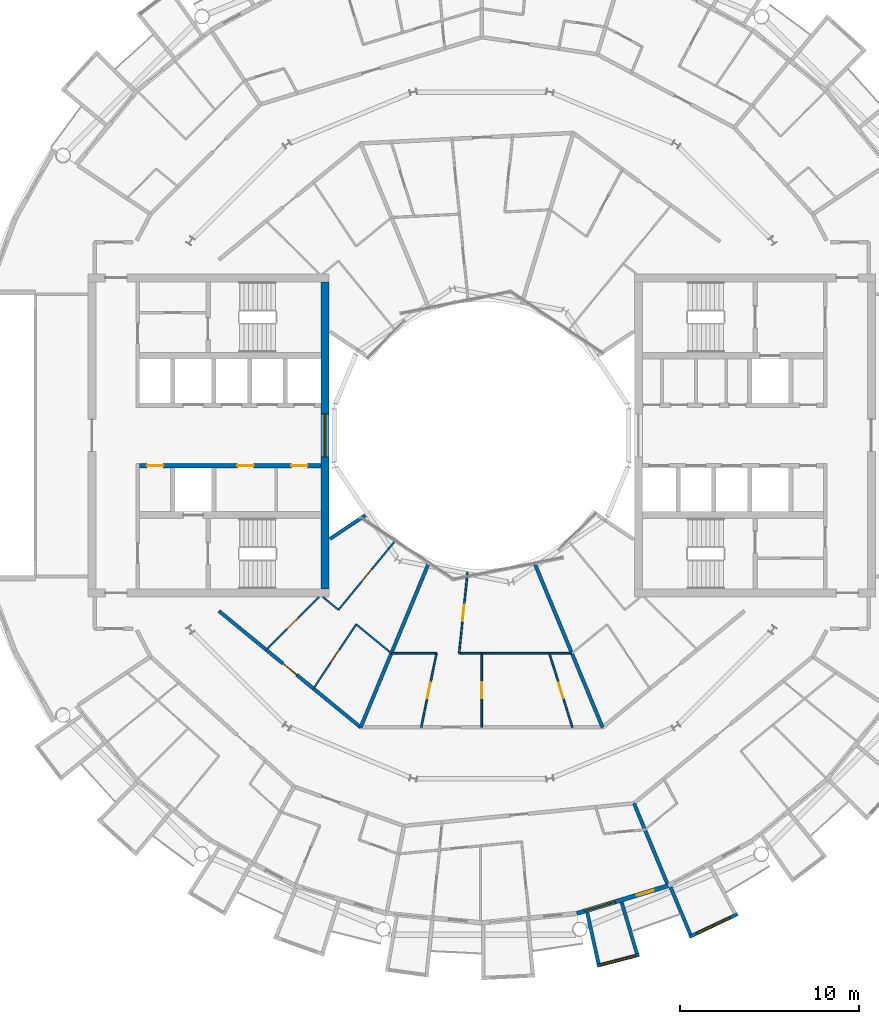
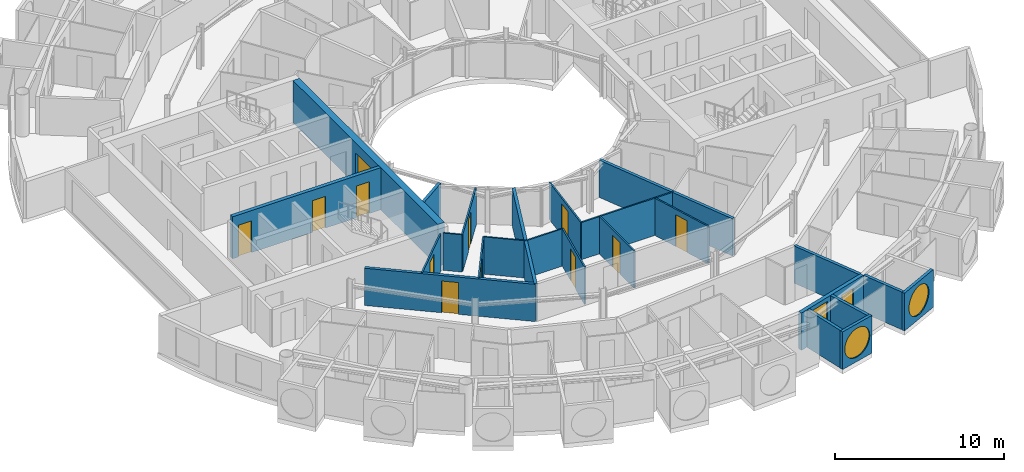
# One storey, part 17 of 29: 24 walls, 12 doors, 4 windows, 16 openings.
"""IFC4 building model written with IfcOpenShell, lengths in metres."""

from ifc_helpers import new_model, si_unit, direction, frame, frame_2d, origin, place, context, subcontext, project, spatial, rectangle, circle, extrude, material, layer, layer_set, type_object, element, fill, save


model = new_model("IFC4")

# Units and contexts
model_context = context("Model", 3, precision=1e-05, world=origin(), true_north=direction((0.0, 1.0)))
body_context = subcontext(model_context, "Body", "Model", "MODEL_VIEW")
ifc_project = project(units=[si_unit("LENGTHUNIT", "METRE"), si_unit("AREAUNIT", "SQUARE_METRE"), si_unit("VOLUMEUNIT", "CUBIC_METRE"), si_unit("PLANEANGLEUNIT", "RADIAN"), si_unit("MASSUNIT", "GRAM", prefix="KILO")], contexts=[model_context])

# Site, building, storey
site_placement = place(None, origin())
site = spatial("IfcSite", under=ifc_project, at=site_placement, CompositionType="ELEMENT")
building_placement = place(site_placement, origin())
building = spatial("IfcBuilding", under=site, at=building_placement, Name="Maasbend Ring Residences", CompositionType="ELEMENT")
storey_placement = place(building_placement, frame((0.0, 0.0, 205.449951171875)))
storey = spatial("IfcBuildingStorey", under=building, at=storey_placement, Name="L59", CompositionType="ELEMENT", Elevation=205.449951171875)

# Wall, openings, doors
ifc_material_1 = material(Name="Concrete C50/60", Category="concrete")
ifc_layer_1 = layer(ifc_material_1, 0.25)
ifc_layer_set_1 = layer_set([ifc_layer_1], Name="Concrete C50/60")
wall_type_1 = type_object("IfcWallType", Name="CORE WALL 250 C50/60", PredefinedType="SHEAR", material=ifc_layer_set_1)
wall_1_placement = place(storey_placement, frame((-9.0, -1.699951171875, 0.0), z_axis=(0.0, 0.0, 1.0), x_axis=(-1.0, 0.0, 0.0)))
wall_1 = element("IfcWall", 1, at=wall_1_placement, inside=storey, type_object=wall_type_1, Name="L59 core W wall SPN", PredefinedType="SHEAR", context=body_context, shape_type="SweptSolid", body=[
    extrude(rectangle(XDim=10.14990234375, YDim=0.25, at=frame_2d((5.074951171875, 0.0))), origin(), (0.0, 0.0, 1.0), 3.050048828125),
])
opening_1_placement = place(wall_1_placement, frame((0.762451171875, 0.0, 0.0)))
opening_1 = element("IfcOpeningElement", 2, at=opening_1_placement, cuts=wall_1, Name="Opening D-W5906", PredefinedType="OPENING", context=body_context, shape_type="SweptSolid", body=[
    extrude(rectangle(XDim=0.89990234375, YDim=2.300048828125, at=frame_2d((0.449951171875, 1.14990234375))), frame((0.0, 0.135009765625, 0.0), z_axis=(0.0, -1.0, 0.0), x_axis=(1.0, 0.0, 0.0)), (0.0, 0.0, 1.0), 0.27001953125),
])
opening_2_placement = place(wall_1_placement, frame((3.77490234375, 0.0, 0.0)))
opening_2 = element("IfcOpeningElement", 3, at=opening_2_placement, cuts=wall_1, Name="Opening D-W5907", PredefinedType="OPENING", context=body_context, shape_type="SweptSolid", body=[
    extrude(rectangle(XDim=0.89990234375, YDim=2.300048828125, at=frame_2d((0.449951171875, 1.14990234375))), frame((0.0, 0.135009765625, 0.0), z_axis=(0.0, -1.0, 0.0), x_axis=(1.0, 0.0, 0.0)), (0.0, 0.0, 1.0), 0.27001953125),
])
opening_3_placement = place(wall_1_placement, frame((8.83740234375, 0.0, 0.0)))
opening_3 = element("IfcOpeningElement", 4, at=opening_3_placement, cuts=wall_1, Name="Opening D-W5908", PredefinedType="OPENING", context=body_context, shape_type="SweptSolid", body=[
    extrude(rectangle(XDim=0.89990234375, YDim=2.300048828125, at=frame_2d((0.449951171875, 1.14990234375))), frame((0.0, 0.135009765625, 0.0), z_axis=(0.0, -1.0, 0.0), x_axis=(1.0, 0.0, 0.0)), (0.0, 0.0, 1.0), 0.27001953125),
])
ifc_material_2 = material(Name="Steel, powder coated", Category="steel")
door_type_1 = type_object("IfcDoorType", Name="ROOM DOOR 900 X 2300 FD30S", OperationType="NOTDEFINED", PredefinedType="DOOR", material=ifc_material_2)
door_1_placement = place(opening_1_placement, origin())
door_1 = element("IfcDoor", 5, at=door_1_placement, inside=storey, type_object=door_type_1, Name="Room door L59", OperationType="SINGLE_SWING_RIGHT", OverallHeight=2.300048828125, OverallWidth=0.89990234375, PredefinedType="DOOR", context=body_context, shape_type="SweptSolid", body=[
    extrude(rectangle(XDim=0.89990234375, YDim=2.300048828125, at=frame_2d((0.449951171875, 1.14990234375))), frame((0.0, 0.02490234375, 0.0), z_axis=(0.0, -1.0, 0.0), x_axis=(1.0, 0.0, 0.0)), (0.0, 0.0, 1.0), 0.050048828125),
])
fill(opening_1, door_1)
door_2_placement = place(opening_2_placement, origin())
door_2 = element("IfcDoor", 6, at=door_2_placement, inside=storey, type_object=door_type_1, Name="Room door L59", OperationType="SINGLE_SWING_RIGHT", OverallHeight=2.300048828125, OverallWidth=0.89990234375, PredefinedType="DOOR", context=body_context, shape_type="SweptSolid", body=[
    extrude(rectangle(XDim=0.89990234375, YDim=2.300048828125, at=frame_2d((0.449951171875, 1.14990234375))), frame((0.0, 0.02490234375, 0.0), z_axis=(0.0, -1.0, 0.0), x_axis=(1.0, 0.0, 0.0)), (0.0, 0.0, 1.0), 0.050048828125),
])
fill(opening_2, door_2)
door_3_placement = place(opening_3_placement, origin())
door_3 = element("IfcDoor", 7, at=door_3_placement, inside=storey, type_object=door_type_1, Name="Room door L59", OperationType="SINGLE_SWING_LEFT", OverallHeight=2.300048828125, OverallWidth=0.89990234375, PredefinedType="DOOR", context=body_context, shape_type="SweptSolid", body=[
    extrude(rectangle(XDim=0.89990234375, YDim=2.300048828125, at=frame_2d((0.449951171875, 1.14990234375))), frame((0.0, 0.02490234375, 0.0), z_axis=(0.0, -1.0, 0.0), x_axis=(1.0, 0.0, 0.0)), (0.0, 0.0, 1.0), 0.050048828125),
])
fill(opening_3, door_3)

# Wall, opening, window
ifc_material_3 = material(Name="Concrete C50/60", Category="concrete")
ifc_layer_2 = layer(ifc_material_3, 0.449951171875)
ifc_layer_set_2 = layer_set([ifc_layer_2], Name="Concrete C50/60")
wall_type_2 = type_object("IfcWallType", Name="CORE WALL 450 C50/60", PredefinedType="SHEAR", material=ifc_layer_set_2)
wall_2_placement = place(storey_placement, frame((-8.77490234375, 8.60009765625, 0.0), z_axis=(0.0, 0.0, 1.0), x_axis=(0.0, -1.0, 0.0)))
wall_2 = element("IfcWall", 8, at=wall_2_placement, inside=storey, type_object=wall_type_2, Name="L59 core W wall PIN", PredefinedType="SHEAR", context=body_context, shape_type="SweptSolid", body=[
    extrude(rectangle(XDim=17.2001953125, YDim=0.449951171875, at=frame_2d((8.60009765625, 0.0))), origin(), (0.0, 0.0, 1.0), 3.050048828125),
])
opening_4_placement = place(wall_2_placement, frame((7.39990234375, 0.0, 0.10009765625)))
opening_4 = element("IfcOpeningElement", 9, at=opening_4_placement, cuts=wall_2, Name="Opening W-W5901", PredefinedType="OPENING", context=body_context, shape_type="SweptSolid", body=[
    extrude(rectangle(XDim=2.39990234375, YDim=2.199951171875, at=frame_2d((1.199951171875, 1.10009765625))), frame((0.0, 0.23486328125, 0.0), z_axis=(0.0, -1.0, 0.0), x_axis=(1.0, 0.0, 0.0)), (0.0, 0.0, 1.0), 0.469970703125),
])
ifc_material_4 = material(Name="Aluminium frame and clear glass", Category="aluminium")
window_type_1 = type_object("IfcWindowType", Name="FIXED WINDOW 2400 X 2200", PartitioningType="SINGLE_PANEL", PredefinedType="WINDOW", material=ifc_material_4)
window_1_placement = place(opening_4_placement, origin())
window_1 = element("IfcWindow", 10, at=window_1_placement, inside=storey, type_object=window_type_1, Name="Lobby window L59", OverallHeight=2.199951171875, OverallWidth=2.39990234375, PartitioningType="SINGLE_PANEL", PredefinedType="WINDOW", context=body_context, shape_type="SweptSolid", body=[
    extrude(rectangle(XDim=2.39990234375, YDim=2.199951171875, at=frame_2d((1.199951171875, 1.10009765625))), frame((0.0, 0.030029296875, 0.0), z_axis=(0.0, -1.0, 0.0), x_axis=(1.0, 0.0, 0.0)), (0.0, 0.0, 1.0), 0.06005859375),
])
fill(opening_4, window_1)

# Wall, opening, door
ifc_material_5 = material(Name="Concrete C30/37", Category="concrete")
ifc_layer_3 = layer(ifc_material_5, 0.199951171875)
ifc_layer_set_3 = layer_set([ifc_layer_3], Name="Concrete C30/37")
wall_type_3 = type_object("IfcWallType", Name="CORRIDOR WALL 200 CONCRETE", PredefinedType="PARTITIONING", material=ifc_layer_set_3)
wall_3_placement = place(storey_placement, frame((-14.717041015625, -9.833984375, 0.0), z_axis=(0.0, 0.0, 1.0), x_axis=(0.773034536097, -0.634363938131, 0.0)))
wall_3 = element("IfcWall", 11, at=wall_3_placement, inside=storey, type_object=wall_type_3, Name="U-L59-w017", PredefinedType="PARTITIONING", context=body_context, shape_type="SweptSolid", body=[
    extrude(rectangle(XDim=10.276611328125, YDim=0.199951171875, at=frame_2d((5.13818359375, 0.0))), origin(), (0.0, 0.0, 1.0), 2.699951171875),
])
opening_5_placement = place(wall_3_placement, frame((4.637939453125, 0.0, 0.0)))
opening_5 = element("IfcOpeningElement", 12, at=opening_5_placement, cuts=wall_3, Name="Opening D-5955", PredefinedType="OPENING", context=body_context, shape_type="SweptSolid", body=[
    extrude(rectangle(XDim=1.0, YDim=2.300048828125, at=frame_2d((0.5, 1.14990234375))), frame((0.0, 0.10986328125, 0.0), z_axis=(0.0, -1.0, 0.0), x_axis=(1.0, 0.0, 0.0)), (0.0, 0.0, 1.0), 0.219970703125),
])
ifc_material_6 = material(Name="Timber, fire-rated, painted", Category="wood")
door_type_2 = type_object("IfcDoorType", Name="FLAT ENTRANCE DOOR 1000 X 2300 FIRE-RATED", OperationType="NOTDEFINED", PredefinedType="DOOR", material=ifc_material_6)
door_4_placement = place(opening_5_placement, origin())
door_4 = element("IfcDoor", 13, at=door_4_placement, inside=storey, type_object=door_type_2, Name="D-5955", OperationType="SINGLE_SWING_LEFT", OverallHeight=2.300048828125, OverallWidth=1.0, PredefinedType="DOOR", context=body_context, shape_type="SweptSolid", body=[
    extrude(rectangle(XDim=1.0, YDim=2.300048828125, at=frame_2d((0.5, 1.14990234375))), frame((0.0, 0.02490234375, 0.0), z_axis=(0.0, -1.0, 0.0), x_axis=(1.0, 0.0, 0.0)), (0.0, 0.0, 1.0), 0.050048828125),
])
fill(opening_5, door_4)

# Wall, opening, window
ifc_material_7 = material(Name="Pale anodised aluminium panel", Category="aluminium")
ifc_layer_4 = layer(ifc_material_7, 0.199951171875)
ifc_layer_set_4 = layer_set([ifc_layer_4], Name="EW-BOX")
wall_type_4 = type_object("IfcWallType", Name="EW-BOX", PredefinedType="SOLIDWALL", material=ifc_layer_set_4)
wall_4_placement = place(storey_placement, frame((6.4609375, -29.705078125, -0.030029296875), z_axis=(0.0, 0.0, 1.0), x_axis=(0.96789536872, 0.251353446784, 0.0)))
wall_4 = element("IfcWall", 14, at=wall_4_placement, inside=storey, type_object=wall_type_4, Name="Box front S13", PredefinedType="SOLIDWALL", context=body_context, shape_type="SweptSolid", body=[
    extrude(rectangle(XDim=2.44677734375, YDim=0.199951171875, at=frame_2d((1.223388671875, 0.0))), origin(), (0.0, 0.0, 1.0), 2.72998046875),
])
opening_6_placement = place(wall_4_placement, frame((0.182861328125, 0.0, 0.330078125)))
opening_6 = element("IfcOpeningElement", 15, at=opening_6_placement, cuts=wall_4, Name="Opening W-RD", PredefinedType="OPENING", context=body_context, shape_type="SweptSolid", body=[
    extrude(circle(Radius=1.0400390625, at=frame_2d((1.0400390625, 1.0400390625))), frame((0.0, 0.10986328125, 0.0), z_axis=(0.0, -1.0, 0.0), x_axis=(1.0, 0.0, 0.0)), (0.0, 0.0, 1.0), 0.219970703125),
])
ifc_material_8 = material(Name="Aluminium and clear glass", Category="aluminium")
window_type_2 = type_object("IfcWindowType", Name="W-RD", PartitioningType="SINGLE_PANEL", PredefinedType="WINDOW", material=ifc_material_8)
window_2_placement = place(opening_6_placement, origin())
window_2 = element("IfcWindow", 16, at=window_2_placement, inside=storey, type_object=window_type_2, Name="Round window S13", OverallHeight=2.080078125, OverallWidth=2.080078125, PartitioningType="SINGLE_PANEL", PredefinedType="WINDOW", context=body_context, shape_type="SweptSolid", body=[
    extrude(circle(Radius=1.0400390625, at=frame_2d((1.0400390625, 1.0400390625))), frame((0.0, 0.030029296875, 0.0), z_axis=(0.0, -1.0, 0.0), x_axis=(1.0, 0.0, 0.0)), (0.0, 0.0, 1.0), 0.06005859375),
])
fill(opening_6, window_2)

# Walls
wall_5_placement = place(storey_placement, frame((5.908935546875, -26.72900390625, -0.030029296875), z_axis=(0.0, 0.0, 1.0), x_axis=(0.216409053917, -0.976302781612, 0.0)))
element("IfcWall", 17, at=wall_5_placement, inside=storey, type_object=wall_type_4, Name="Box side wall S13 left", PredefinedType="SOLIDWALL", context=body_context, shape_type="SweptSolid", body=[
    extrude(rectangle(XDim=2.92529296875, YDim=0.199951171875, at=frame_2d((1.462646484375, 0.0))), origin(), (0.0, 0.0, 1.0), 2.72998046875),
])
wall_6_placement = place(storey_placement, frame((7.8369140625, -26.14404296875, -0.030029296875), z_axis=(0.0, 0.0, 1.0), x_axis=(0.287064767992, -0.957911174889, 0.0)))
element("IfcWall", 18, at=wall_6_placement, inside=storey, type_object=wall_type_4, Name="Box side wall S13 right", PredefinedType="SOLIDWALL", context=body_context, shape_type="SweptSolid", body=[
    extrude(rectangle(XDim=3.00634765625, YDim=0.199951171875, at=frame_2d((1.503173828125, 0.0))), origin(), (0.0, 0.0, 1.0), 2.72998046875),
])

# Wall, opening, window
wall_7_placement = place(storey_placement, frame((11.62890625, -28.087890625, -0.030029296875), z_axis=(0.0, 0.0, 1.0), x_axis=(0.904000060331, 0.427532327342, 0.0)))
wall_7 = element("IfcWall", 19, at=wall_7_placement, inside=storey, type_object=wall_type_4, Name="Box front S15", PredefinedType="SOLIDWALL", context=body_context, shape_type="SweptSolid", body=[
    extrude(rectangle(XDim=2.993408203125, YDim=0.199951171875, at=frame_2d((1.49658203125, 0.0))), origin(), (0.0, 0.0, 1.0), 2.72998046875),
])
opening_7_placement = place(wall_7_placement, frame((0.45654296875, 0.0, 0.330078125)))
opening_7 = element("IfcOpeningElement", 20, at=opening_7_placement, cuts=wall_7, Name="Opening W-RD", PredefinedType="OPENING", context=body_context, shape_type="SweptSolid", body=[
    extrude(circle(Radius=1.0400390625, at=frame_2d((1.0400390625, 1.0400390625))), frame((0.0, 0.10986328125, 0.0), z_axis=(0.0, -1.0, 0.0), x_axis=(1.0, 0.0, 0.0)), (0.0, 0.0, 1.0), 0.219970703125),
])
window_3_placement = place(opening_7_placement, origin())
window_3 = element("IfcWindow", 21, at=window_3_placement, inside=storey, type_object=window_type_2, Name="Round window S15", OverallHeight=2.080078125, OverallWidth=2.080078125, PartitioningType="SINGLE_PANEL", PredefinedType="WINDOW", context=body_context, shape_type="SweptSolid", body=[
    extrude(circle(Radius=1.0400390625, at=frame_2d((1.0400390625, 1.0400390625))), frame((0.0, 0.030029296875, 0.0), z_axis=(0.0, -1.0, 0.0), x_axis=(1.0, 0.0, 0.0)), (0.0, 0.0, 1.0), 0.06005859375),
])
fill(opening_7, window_3)

# Wall
wall_8_placement = place(storey_placement, frame((10.574951171875, -25.294921875, -0.030029296875), z_axis=(0.0, 0.0, 1.0), x_axis=(0.385697364644, -0.922625353492, 0.0)))
element("IfcWall", 22, at=wall_8_placement, inside=storey, type_object=wall_type_4, Name="Box side wall S15 left", PredefinedType="SOLIDWALL", context=body_context, shape_type="SweptSolid", body=[
    extrude(rectangle(XDim=2.88330078125, YDim=0.199951171875, at=frame_2d((1.441650390625, 0.0))), origin(), (0.0, 0.0, 1.0), 2.72998046875),
])

# Wall, openings, door, window
ifc_material_9 = material(Name="Aluminium clad insulated panel", Category="aluminium")
ifc_layer_5 = layer(ifc_material_9, 0.25)
ifc_layer_set_5 = layer_set([ifc_layer_5], Name="EW-GL")
wall_type_5 = type_object("IfcWallType", Name="EW-GL", PredefinedType="SOLIDWALL", material=ifc_layer_set_5)
wall_9_placement = place(storey_placement, frame((5.325927734375, -26.77490234375, 0.0), z_axis=(0.0, 0.0, 1.0), x_axis=(0.956965678721, 0.290201119486, 0.0)))
wall_9 = element("IfcWall", 23, at=wall_9_placement, inside=storey, type_object=wall_type_5, Name="External wall S07", PredefinedType="SOLIDWALL", context=body_context, shape_type="SweptSolid", body=[
    extrude(rectangle(XDim=5.351318359375, YDim=0.25, at=frame_2d((2.67578125, 0.0))), origin(), (0.0, 0.0, 1.0), 2.699951171875),
])
opening_8_placement = place(wall_9_placement, frame((0.441162109375, 0.0, 0.300048828125)))
opening_8 = element("IfcOpeningElement", 24, at=opening_8_placement, cuts=wall_9, Name="Opening W-BX", PredefinedType="OPENING", context=body_context, shape_type="SweptSolid", body=[
    extrude(rectangle(XDim=1.800048828125, YDim=2.10009765625, at=frame_2d((0.89990234375, 1.050048828125))), frame((0.0, 0.135009765625, 0.0), z_axis=(0.0, -1.0, 0.0), x_axis=(1.0, 0.0, 0.0)), (0.0, 0.0, 1.0), 0.27001953125),
])
opening_9_placement = place(wall_9_placement, frame((3.510498046875, 0.0, 0.0)))
opening_9 = element("IfcOpeningElement", 25, at=opening_9_placement, cuts=wall_9, Name="Opening D-LG", PredefinedType="OPENING", context=body_context, shape_type="SweptSolid", body=[
    extrude(rectangle(XDim=1.0, YDim=2.199951171875, at=frame_2d((0.5, 1.10009765625))), frame((0.0, 0.135009765625, 0.0), z_axis=(0.0, -1.0, 0.0), x_axis=(1.0, 0.0, 0.0)), (0.0, 0.0, 1.0), 0.27001953125),
])
ifc_material_10 = material(Name="Aluminium and clear glass", Category="aluminium")
door_type_3 = type_object("IfcDoorType", Name="D-LG", OperationType="SINGLE_SWING_LEFT", PredefinedType="DOOR", material=ifc_material_10)
door_5_placement = place(opening_9_placement, origin())
door_5 = element("IfcDoor", 26, at=door_5_placement, inside=storey, type_object=door_type_3, Name="Loggia door S14", OperationType="SINGLE_SWING_LEFT", OverallHeight=2.199951171875, OverallWidth=1.0, PredefinedType="DOOR", context=body_context, shape_type="SweptSolid", body=[
    extrude(rectangle(XDim=1.0, YDim=2.199951171875, at=frame_2d((0.5, 1.10009765625))), frame((0.0, 0.02490234375, 0.0), z_axis=(0.0, -1.0, 0.0), x_axis=(1.0, 0.0, 0.0)), (0.0, 0.0, 1.0), 0.050048828125),
])
fill(opening_9, door_5)
ifc_material_11 = material(Name="Aluminium and clear glass", Category="aluminium")
window_type_3 = type_object("IfcWindowType", Name="W-BX", PartitioningType="DOUBLE_PANEL_VERTICAL", PredefinedType="WINDOW", material=ifc_material_11)
window_4_placement = place(opening_8_placement, origin())
window_4 = element("IfcWindow", 27, at=window_4_placement, inside=storey, type_object=window_type_3, Name="Window S13 room to box", OverallHeight=2.10009765625, OverallWidth=1.800048828125, PartitioningType="SINGLE_PANEL", PredefinedType="WINDOW", context=body_context, shape_type="SweptSolid", body=[
    extrude(rectangle(XDim=1.800048828125, YDim=2.10009765625, at=frame_2d((0.89990234375, 1.050048828125))), frame((0.0, 0.030029296875, 0.0), z_axis=(0.0, -1.0, 0.0), x_axis=(1.0, 0.0, 0.0)), (0.0, 0.0, 1.0), 0.06005859375),
])
fill(opening_8, window_4)

# Walls
ifc_material_12 = material(Name="Gypsum board on steel studs", Category="steel")
ifc_layer_6 = layer(ifc_material_12, 0.10009765625)
ifc_layer_set_6 = layer_set([ifc_layer_6], Name="PARTITION 100 GYPSUM")
wall_type_6 = type_object("IfcWallType", Name="PARTITION 100 GYPSUM", PredefinedType="PARTITIONING", material=ifc_layer_set_6)
wall_10_placement = place(storey_placement, frame((-8.90087890625, -9.047119140625, 0.0), z_axis=(0.0, 0.0, 1.0), x_axis=(0.772786083133, -0.634666581534, 0.0)))
element("IfcWall", 28, at=wall_10_placement, inside=storey, type_object=wall_type_6, Name="U-L59-w020", PredefinedType="PARTITIONING", context=body_context, shape_type="SweptSolid", body=[
    extrude(rectangle(XDim=1.1435546875, YDim=0.10009765625, at=frame_2d((0.57177734375, 0.0))), origin(), (0.0, 0.0, 1.0), 2.699951171875),
])
wall_11_placement = place(storey_placement, frame((-7.031005859375, -10.58203125, 0.0), z_axis=(0.0, 0.0, 1.0), x_axis=(0.772943675046, -0.634474645046, 0.0)))
element("IfcWall", 29, at=wall_11_placement, inside=storey, type_object=wall_type_6, Name="U-L59-w021", PredefinedType="PARTITIONING", context=body_context, shape_type="SweptSolid", body=[
    extrude(rectangle(XDim=2.556640625, YDim=0.10009765625, at=frame_2d((1.2783203125, 0.0))), origin(), (0.0, 0.0, 1.0), 2.699951171875),
])
wall_12_placement = place(storey_placement, frame((-5.054931640625, -12.2041015625, 0.0), z_axis=(0.0, 0.0, 1.0), x_axis=(1.0, 0.0, 0.0)))
element("IfcWall", 30, at=wall_12_placement, inside=storey, type_object=wall_type_6, Name="U-L59-w024", PredefinedType="PARTITIONING", context=body_context, shape_type="SweptSolid", body=[
    extrude(rectangle(XDim=2.52783203125, YDim=0.10009765625, at=frame_2d((1.263916015625, 0.0))), origin(), (0.0, 0.0, 1.0), 2.699951171875),
])
wall_13_placement = place(storey_placement, frame((-1.263916015625, -12.2041015625, 0.0), z_axis=(0.0, 0.0, 1.0), x_axis=(1.0, 0.0, 0.0)))
element("IfcWall", 31, at=wall_13_placement, inside=storey, type_object=wall_type_6, Name="U-L59-w025", PredefinedType="PARTITIONING", context=body_context, shape_type="SweptSolid", body=[
    extrude(rectangle(XDim=6.31884765625, YDim=0.10009765625, at=frame_2d((3.159423828125, 0.0))), origin(), (0.0, 0.0, 1.0), 2.699951171875),
])

# Wall, opening, door
wall_14_placement = place(storey_placement, frame((-12.069091796875, -12.007080078125, 0.0), z_axis=(0.0, 0.0, 1.0), x_axis=(0.708909651863, 0.705299302067, 0.0)))
wall_14 = element("IfcWall", 32, at=wall_14_placement, inside=storey, type_object=wall_type_6, Name="U-L59-w045", PredefinedType="PARTITIONING", context=body_context, shape_type="SweptSolid", body=[
    extrude(rectangle(XDim=4.192626953125, YDim=0.10009765625, at=frame_2d((2.09619140625, 0.0))), origin(), (0.0, 0.0, 1.0), 2.699951171875),
])
opening_10_placement = place(wall_14_placement, frame((1.64599609375, 0.0, 0.0)))
opening_10 = element("IfcOpeningElement", 33, at=opening_10_placement, cuts=wall_14, Name="Opening D-5957", PredefinedType="OPENING", context=body_context, shape_type="SweptSolid", body=[
    extrude(rectangle(XDim=0.89990234375, YDim=2.300048828125, at=frame_2d((0.449951171875, 1.14990234375))), frame((0.0, 0.06005859375, 0.0), z_axis=(0.0, -1.0, 0.0), x_axis=(1.0, 0.0, 0.0)), (0.0, 0.0, 1.0), 0.1201171875),
])
ifc_material_13 = material(Name="Timber, painted", Category="wood")
door_type_4 = type_object("IfcDoorType", Name="INTERNAL DOOR 900 X 2300", OperationType="NOTDEFINED", PredefinedType="DOOR", material=ifc_material_13)
door_6_placement = place(opening_10_placement, origin())
door_6 = element("IfcDoor", 34, at=door_6_placement, inside=storey, type_object=door_type_4, Name="D-5957", OperationType="SINGLE_SWING_LEFT", OverallHeight=2.300048828125, OverallWidth=0.89990234375, PredefinedType="DOOR", context=body_context, shape_type="SweptSolid", body=[
    extrude(rectangle(XDim=0.89990234375, YDim=2.300048828125, at=frame_2d((0.449951171875, 1.14990234375))), frame((0.0, 0.02490234375, 0.0), z_axis=(0.0, -1.0, 0.0), x_axis=(1.0, 0.0, 0.0)), (0.0, 0.0, 1.0), 0.050048828125),
])
fill(opening_10, door_6)

wall_15_placement = place(storey_placement, frame((-9.4208984375, -14.179931640625, 0.0), z_axis=(0.0, 0.0, 1.0), x_axis=(0.553303732327, 0.832979579457, 0.0)))
wall_15 = element("IfcWall", 35, at=wall_15_placement, inside=storey, type_object=wall_type_6, Name="U-L59-w048", PredefinedType="PARTITIONING", context=body_context, shape_type="SweptSolid", body=[
    extrude(rectangle(XDim=4.3193359375, YDim=0.10009765625, at=frame_2d((2.15966796875, 0.0))), origin(), (0.0, 0.0, 1.0), 2.699951171875),
])
opening_11_placement = place(wall_15_placement, frame((1.7099609375, 0.0, 0.0)))
opening_11 = element("IfcOpeningElement", 36, at=opening_11_placement, cuts=wall_15, Name="Opening D-5956", PredefinedType="OPENING", context=body_context, shape_type="SweptSolid", body=[
    extrude(rectangle(XDim=0.89990234375, YDim=2.300048828125, at=frame_2d((0.449951171875, 1.14990234375))), frame((0.0, 0.06005859375, 0.0), z_axis=(0.0, -1.0, 0.0), x_axis=(1.0, 0.0, 0.0)), (0.0, 0.0, 1.0), 0.1201171875),
])
door_7_placement = place(opening_11_placement, origin())
door_7 = element("IfcDoor", 37, at=door_7_placement, inside=storey, type_object=door_type_4, Name="D-5956", OperationType="SINGLE_SWING_RIGHT", OverallHeight=2.300048828125, OverallWidth=0.89990234375, PredefinedType="DOOR", context=body_context, shape_type="SweptSolid", body=[
    extrude(rectangle(XDim=0.89990234375, YDim=2.300048828125, at=frame_2d((0.449951171875, 1.14990234375))), frame((0.0, 0.02490234375, 0.0), z_axis=(0.0, -1.0, 0.0), x_axis=(1.0, 0.0, 0.0)), (0.0, 0.0, 1.0), 0.050048828125),
])
fill(opening_11, door_7)

wall_16_placement = place(storey_placement, frame((-8.01904296875, -9.77099609375, 0.0), z_axis=(0.0, 0.0, 1.0), x_axis=(0.634401778971, 0.773003481776, 0.0)))
wall_16 = element("IfcWall", 38, at=wall_16_placement, inside=storey, type_object=wall_type_6, Name="U-L59-w050", PredefinedType="PARTITIONING", context=body_context, shape_type="SweptSolid", body=[
    extrude(rectangle(XDim=4.919677734375, YDim=0.10009765625, at=frame_2d((2.4599609375, 0.0))), origin(), (0.0, 0.0, 1.0), 2.699951171875),
])
opening_12_placement = place(wall_16_placement, frame((2.010009765625, 0.0, 0.0)))
opening_12 = element("IfcOpeningElement", 39, at=opening_12_placement, cuts=wall_16, Name="Opening D-5958", PredefinedType="OPENING", context=body_context, shape_type="SweptSolid", body=[
    extrude(rectangle(XDim=0.89990234375, YDim=2.300048828125, at=frame_2d((0.449951171875, 1.14990234375))), frame((0.0, 0.06005859375, 0.0), z_axis=(0.0, -1.0, 0.0), x_axis=(1.0, 0.0, 0.0)), (0.0, 0.0, 1.0), 0.1201171875),
])
door_8_placement = place(opening_12_placement, origin())
door_8 = element("IfcDoor", 40, at=door_8_placement, inside=storey, type_object=door_type_4, Name="D-5958", OperationType="SINGLE_SWING_LEFT", OverallHeight=2.300048828125, OverallWidth=0.89990234375, PredefinedType="DOOR", context=body_context, shape_type="SweptSolid", body=[
    extrude(rectangle(XDim=0.89990234375, YDim=2.300048828125, at=frame_2d((0.449951171875, 1.14990234375))), frame((0.0, 0.02490234375, 0.0), z_axis=(0.0, -1.0, 0.0), x_axis=(1.0, 0.0, 0.0)), (0.0, 0.0, 1.0), 0.050048828125),
])
fill(opening_12, door_8)

wall_17_placement = place(storey_placement, frame((-3.386962890625, -16.35302734375, 0.0), z_axis=(0.0, 0.0, 1.0), x_axis=(0.202937120105, 0.979191771454, 0.0)))
wall_17 = element("IfcWall", 41, at=wall_17_placement, inside=storey, type_object=wall_type_6, Name="U-L59-w057", PredefinedType="PARTITIONING", context=body_context, shape_type="SweptSolid", body=[
    extrude(rectangle(XDim=4.237060546875, YDim=0.10009765625, at=frame_2d((2.11865234375, 0.0))), origin(), (0.0, 0.0, 1.0), 2.699951171875),
])
opening_13_placement = place(wall_17_placement, frame((1.6689453125, 0.0, 0.0)))
opening_13 = element("IfcOpeningElement", 42, at=opening_13_placement, cuts=wall_17, Name="Opening D-5960", PredefinedType="OPENING", context=body_context, shape_type="SweptSolid", body=[
    extrude(rectangle(XDim=0.89990234375, YDim=2.300048828125, at=frame_2d((0.449951171875, 1.14990234375))), frame((0.0, 0.06005859375, 0.0), z_axis=(0.0, -1.0, 0.0), x_axis=(1.0, 0.0, 0.0)), (0.0, 0.0, 1.0), 0.1201171875),
])
door_9_placement = place(opening_13_placement, origin())
door_9 = element("IfcDoor", 43, at=door_9_placement, inside=storey, type_object=door_type_4, Name="D-5960", OperationType="SINGLE_SWING_LEFT", OverallHeight=2.300048828125, OverallWidth=0.89990234375, PredefinedType="DOOR", context=body_context, shape_type="SweptSolid", body=[
    extrude(rectangle(XDim=0.89990234375, YDim=2.300048828125, at=frame_2d((0.449951171875, 1.14990234375))), frame((0.0, 0.02490234375, 0.0), z_axis=(0.0, -1.0, 0.0), x_axis=(1.0, 0.0, 0.0)), (0.0, 0.0, 1.0), 0.050048828125),
])
fill(opening_13, door_9)

wall_18_placement = place(storey_placement, frame((-1.260986328125, -12.2041015625, 0.0), z_axis=(0.0, 0.0, 1.0), x_axis=(0.102877179684, 0.994694066485, 0.0)))
wall_18 = element("IfcWall", 44, at=wall_18_placement, inside=storey, type_object=wall_type_6, Name="U-L59-w061", PredefinedType="PARTITIONING", context=body_context, shape_type="SweptSolid", body=[
    extrude(rectangle(XDim=4.54931640625, YDim=0.10009765625, at=frame_2d((2.274658203125, 0.0))), origin(), (0.0, 0.0, 1.0), 2.699951171875),
])
opening_14_placement = place(wall_18_placement, frame((1.823974609375, 0.0, 0.0)))
opening_14 = element("IfcOpeningElement", 45, at=opening_14_placement, cuts=wall_18, Name="Opening D-5963", PredefinedType="OPENING", context=body_context, shape_type="SweptSolid", body=[
    extrude(rectangle(XDim=0.89990234375, YDim=2.300048828125, at=frame_2d((0.449951171875, 1.14990234375))), frame((0.0, 0.06005859375, 0.0), z_axis=(0.0, -1.0, 0.0), x_axis=(1.0, 0.0, 0.0)), (0.0, 0.0, 1.0), 0.1201171875),
])
door_10_placement = place(opening_14_placement, origin())
door_10 = element("IfcDoor", 46, at=door_10_placement, inside=storey, type_object=door_type_4, Name="D-5963", OperationType="SINGLE_SWING_LEFT", OverallHeight=2.300048828125, OverallWidth=0.89990234375, PredefinedType="DOOR", context=body_context, shape_type="SweptSolid", body=[
    extrude(rectangle(XDim=0.89990234375, YDim=2.300048828125, at=frame_2d((0.449951171875, 1.14990234375))), frame((0.0, 0.02490234375, 0.0), z_axis=(0.0, -1.0, 0.0), x_axis=(1.0, 0.0, 0.0)), (0.0, 0.0, 1.0), 0.050048828125),
])
fill(opening_14, door_10)

wall_19_placement = place(storey_placement, frame((0.0, -16.35302734375, 0.0), z_axis=(0.0, 0.0, 1.0), x_axis=(0.0, 1.0, 0.0)))
wall_19 = element("IfcWall", 47, at=wall_19_placement, inside=storey, type_object=wall_type_6, Name="U-L59-w063", PredefinedType="PARTITIONING", context=body_context, shape_type="SweptSolid", body=[
    extrude(rectangle(XDim=4.14892578125, YDim=0.10009765625, at=frame_2d((2.074462890625, 0.0))), origin(), (0.0, 0.0, 1.0), 2.699951171875),
])
opening_15_placement = place(wall_19_placement, frame((1.625, 0.0, 0.0)))
opening_15 = element("IfcOpeningElement", 48, at=opening_15_placement, cuts=wall_19, Name="Opening D-5961", PredefinedType="OPENING", context=body_context, shape_type="SweptSolid", body=[
    extrude(rectangle(XDim=0.89990234375, YDim=2.300048828125, at=frame_2d((0.449951171875, 1.14990234375))), frame((0.0, 0.06005859375, 0.0), z_axis=(0.0, -1.0, 0.0), x_axis=(1.0, 0.0, 0.0)), (0.0, 0.0, 1.0), 0.1201171875),
])
door_11_placement = place(opening_15_placement, origin())
door_11 = element("IfcDoor", 49, at=door_11_placement, inside=storey, type_object=door_type_4, Name="D-5961", OperationType="SINGLE_SWING_RIGHT", OverallHeight=2.300048828125, OverallWidth=0.89990234375, PredefinedType="DOOR", context=body_context, shape_type="SweptSolid", body=[
    extrude(rectangle(XDim=0.89990234375, YDim=2.300048828125, at=frame_2d((0.449951171875, 1.14990234375))), frame((0.0, 0.02490234375, 0.0), z_axis=(0.0, -1.0, 0.0), x_axis=(1.0, 0.0, 0.0)), (0.0, 0.0, 1.0), 0.050048828125),
])
fill(opening_15, door_11)

wall_20_placement = place(storey_placement, frame((3.791015625, -12.2041015625, 0.0), z_axis=(0.0, 0.0, 1.0), x_axis=(0.29670674532, -0.954968642041, 0.0)))
wall_20 = element("IfcWall", 50, at=wall_20_placement, inside=storey, type_object=wall_type_6, Name="U-L59-w070", PredefinedType="PARTITIONING", context=body_context, shape_type="SweptSolid", body=[
    extrude(rectangle(XDim=4.344482421875, YDim=0.10009765625, at=frame_2d((2.17236328125, 0.0))), origin(), (0.0, 0.0, 1.0), 2.699951171875),
])
opening_16_placement = place(wall_20_placement, frame((1.721923828125, 0.0, 0.0)))
opening_16 = element("IfcOpeningElement", 51, at=opening_16_placement, cuts=wall_20, Name="Opening D-5962", PredefinedType="OPENING", context=body_context, shape_type="SweptSolid", body=[
    extrude(rectangle(XDim=0.89990234375, YDim=2.300048828125, at=frame_2d((0.449951171875, 1.14990234375))), frame((0.0, 0.06005859375, 0.0), z_axis=(0.0, -1.0, 0.0), x_axis=(1.0, 0.0, 0.0)), (0.0, 0.0, 1.0), 0.1201171875),
])
door_12_placement = place(opening_16_placement, origin())
door_12 = element("IfcDoor", 52, at=door_12_placement, inside=storey, type_object=door_type_4, Name="D-5962", OperationType="SINGLE_SWING_RIGHT", OverallHeight=2.300048828125, OverallWidth=0.89990234375, PredefinedType="DOOR", context=body_context, shape_type="SweptSolid", body=[
    extrude(rectangle(XDim=0.89990234375, YDim=2.300048828125, at=frame_2d((0.449951171875, 1.14990234375))), frame((0.0, 0.02490234375, 0.0), z_axis=(0.0, -1.0, 0.0), x_axis=(1.0, 0.0, 0.0)), (0.0, 0.0, 1.0), 0.050048828125),
])
fill(opening_16, door_12)

# Walls
ifc_material_14 = material(Name="Concrete C30/37", Category="concrete")
ifc_layer_7 = layer(ifc_material_14, 0.199951171875)
ifc_layer_set_7 = layer_set([ifc_layer_7], Name="Concrete C30/37")
wall_type_7 = type_object("IfcWallType", Name="PARTY WALL 200 CONCRETE", PredefinedType="PARTITIONING", material=ifc_layer_set_7)
wall_21_placement = place(storey_placement, frame((-6.512939453125, -4.471923828125, 0.0), z_axis=(0.0, 0.0, 1.0), x_axis=(-0.831403409976, -0.555669299026, 0.0)))
element("IfcWall", 53, at=wall_21_placement, inside=storey, type_object=wall_type_7, Name="U-L59-w028", PredefinedType="PARTITIONING", context=body_context, shape_type="SweptSolid", body=[
    extrude(rectangle(XDim=2.382568359375, YDim=0.199951171875, at=frame_2d((1.19140625, 0.0))), origin(), (0.0, 0.0, 1.0), 2.699951171875),
])
wall_22_placement = place(storey_placement, frame((-6.778076171875, -16.35107421875, 0.0), z_axis=(0.0, 0.0, 1.0), x_axis=(0.382938658032, 0.923773773272, 0.0)))
element("IfcWall", 54, at=wall_22_placement, inside=storey, type_object=wall_type_7, Name="U-L59-w053", PredefinedType="PARTITIONING", context=body_context, shape_type="SweptSolid", body=[
    extrude(rectangle(XDim=9.980712890625, YDim=0.199951171875, at=frame_2d((4.990234375, 0.0))), origin(), (0.0, 0.0, 1.0), 2.699951171875),
])
wall_23_placement = place(storey_placement, frame((2.951904296875, -7.133056640625, 0.0), z_axis=(0.0, 0.0, 1.0), x_axis=(0.382570007985, -0.923926506271, 0.0)))
element("IfcWall", 55, at=wall_23_placement, inside=storey, type_object=wall_type_7, Name="U-L59-w069", PredefinedType="PARTITIONING", context=body_context, shape_type="SweptSolid", body=[
    extrude(rectangle(XDim=9.980224609375, YDim=0.199951171875, at=frame_2d((4.990234375, 0.0))), origin(), (0.0, 0.0, 1.0), 2.699951171875),
])
wall_24_placement = place(storey_placement, frame((8.530029296875, -20.60498046875, 0.0), z_axis=(0.0, 0.0, 1.0), x_axis=(0.382651153718, -0.923892902104, 0.0)))
element("IfcWall", 56, at=wall_24_placement, inside=storey, type_object=wall_type_7, Name="U-L59-w077", PredefinedType="PARTITIONING", context=body_context, shape_type="SweptSolid", body=[
    extrude(rectangle(XDim=4.873779296875, YDim=0.199951171875, at=frame_2d((2.43701171875, 0.0))), origin(), (0.0, 0.0, 1.0), 2.699951171875),
])

save(model, "model.ifc")
